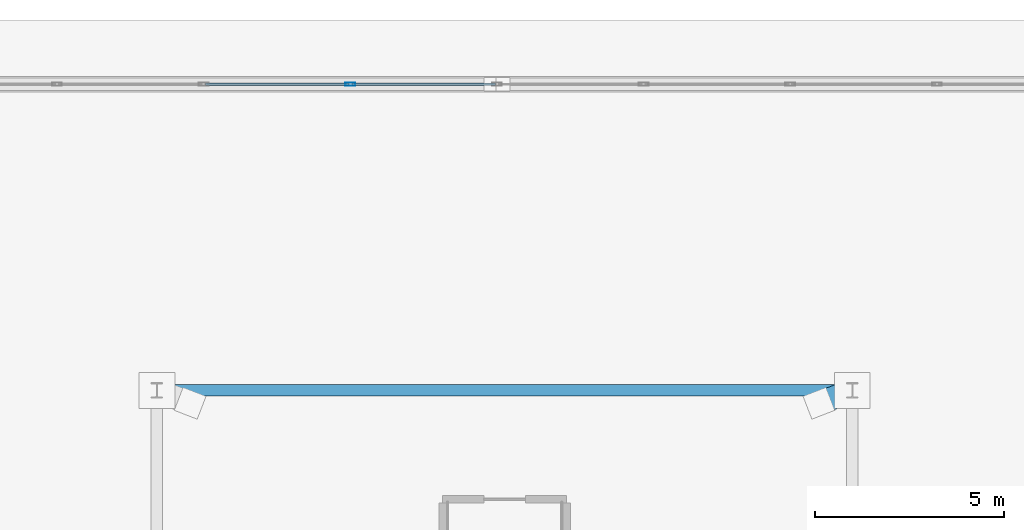
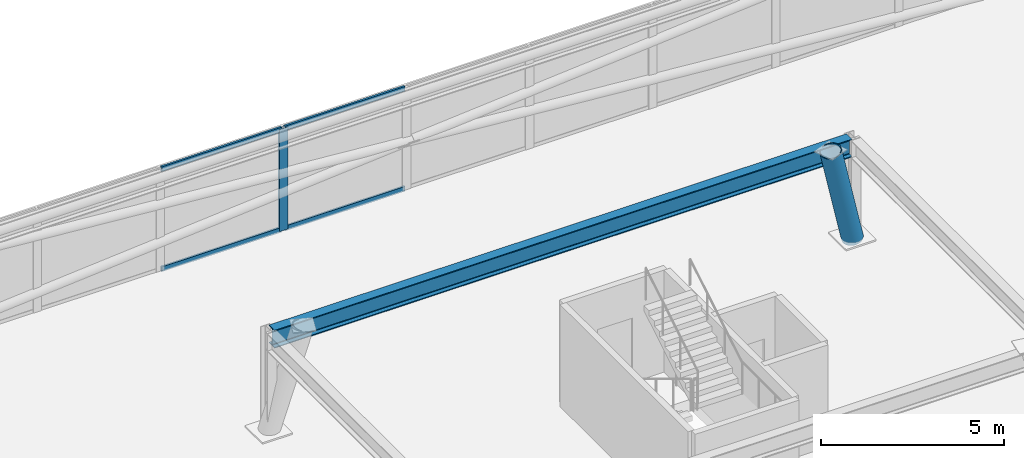
# One storey, part 11 of 23: 6 members, 1 beam, 1 element without a shape of its own.
"""IFC4 building model written with IfcOpenShell, lengths in metres."""

from ifc_helpers import new_model, si_unit, direction, frame, origin, origin_2d, place, context, subcontext, project, spatial, hollow_rectangle, hollow_circle, i_section, extrude, material, layer, layer_set, material_profile, profile_set, type_object, element, aggregate, save


model = new_model("IFC4")

# Units and contexts
model_context = context("Model", 3, precision=1e-05, world=origin(), true_north=direction((0.0, 1.0)))
body_context = subcontext(model_context, "Body", "Model", "MODEL_VIEW")
ifc_project = project(units=[si_unit("LENGTHUNIT", "METRE"), si_unit("AREAUNIT", "SQUARE_METRE"), si_unit("VOLUMEUNIT", "CUBIC_METRE"), si_unit("PLANEANGLEUNIT", "RADIAN"), si_unit("MASSUNIT", "GRAM", prefix="KILO")], contexts=[model_context])

# Site, building, storey
site_placement = place(None, origin())
site = spatial("IfcSite", under=ifc_project, at=site_placement, CompositionType="ELEMENT")
building_placement = place(site_placement, origin())
building = spatial("IfcBuilding", under=site, at=building_placement, Name="Qobustan Lattice House", CompositionType="ELEMENT")
storey_placement = place(building_placement, frame((0.0, 0.0, 270.199951171875)))
storey = spatial("IfcBuildingStorey", under=building, at=storey_placement, Name="L76", CompositionType="ELEMENT", Elevation=270.199951171875)

# Beam
ifc_material_1 = material(Name="Steel S355", Category="steel")
ifc_material_profile_1 = material_profile(ifc_material_1, i_section(OverallWidth=0.300048828125, OverallDepth=0.60009765625, WebThickness=0.015380859375, FlangeThickness=0.030029296875, FilletRadius=0.027099609375, at=origin_2d()), Name="HEB600")
ifc_profile_set_1 = profile_set([ifc_material_profile_1], Name="Steel S355")
beam_type = type_object("IfcBeamType", Name="BM-POD-HEB600", PredefinedType="USERDEFINED", material=ifc_profile_set_1)
beam_placement = place(storey_placement, frame((9.10009765625, 5.60009765625, 3.10009765625), z_axis=(-1.0, 0.0, 0.0), x_axis=(0.0, -1.0, 0.0)))
element("IfcBeam", 1, at=beam_placement, inside=storey, type_object=beam_type, Name="L76 crown support ring girder 3", ObjectType="GIRDER", PredefinedType="USERDEFINED", context=body_context, shape_type="SweptSolid", body=[
    extrude(i_section(OverallWidth=0.300048828125, OverallDepth=0.60009765625, WebThickness=0.015380859375, FlangeThickness=0.030029296875, FilletRadius=0.027099609375, at=origin_2d()), origin(), (0.0, 0.0, 1.0), 18.2001953125),
])

# Curtain wall, members
ifc_material_2 = material(Name="Anodised aluminium and low-E glazing", Category="aluminium")
ifc_layer = layer(ifc_material_2, 0.219970703125)
ifc_layer_set = layer_set([ifc_layer], Name="Anodised aluminium and low-E glazing")
curtain_wall_type = type_object("IfcCurtainWallType", Name="CW-CRN-01", PredefinedType="USERDEFINED", material=ifc_layer_set)
curtain_wall_placement = place(storey_placement, origin())
curtain_wall = element("IfcCurtainWall", 2, at=curtain_wall_placement, inside=storey, type_object=curtain_wall_type, Name="L76 glass-point crown faceted curtain wall 10", ObjectType="CURTAIN WALL", PredefinedType="USERDEFINED")
ifc_material_3 = material(Name="Anodised aluminium EN AW-6063 T6", Category="aluminium")
ifc_material_profile_2 = material_profile(ifc_material_3, hollow_rectangle(XDim=0.090087890625, YDim=0.260009765625, WallThickness=0.006103515625, at=origin_2d()), Name="CWM-CROWN-260x90")
ifc_profile_set_2 = profile_set([ifc_material_profile_2], Name="Anodised aluminium EN AW-6063 T6")
member_type_1 = type_object("IfcMemberType", Name="CWM-CRN-260", PredefinedType="MULLION", material=ifc_profile_set_2)
member_1_placement = place(storey_placement, frame((-4.080078125, 13.699951171875, 0.0), z_axis=(0.0, 0.0, 1.0), x_axis=(0.0, 1.0, 0.0)))
member_1 = element("IfcMember", 3, at=member_1_placement, type_object=member_type_1, Name="CW-CR mullion 5", PredefinedType="MULLION", context=body_context, shape_type="SweptSolid", body=[
    extrude(hollow_rectangle(XDim=0.090087890625, YDim=0.260009765625, WallThickness=0.006103515625, at=origin_2d()), origin(), (0.0, 0.0, 1.0), 3.400146484375),
])
ifc_material_4 = material(Name="Anodised aluminium EN AW-6063 T6", Category="aluminium")
ifc_material_profile_3 = material_profile(ifc_material_4, hollow_rectangle(XDim=0.06494140625, YDim=0.159912109375, WallThickness=0.00390625, at=origin_2d()), Name="CWT-160x65")
ifc_profile_set_3 = profile_set([ifc_material_profile_3], Name="Anodised aluminium EN AW-6063 T6")
member_type_2 = type_object("IfcMemberType", Name="CWT-HOR-160", PredefinedType="USERDEFINED", material=ifc_profile_set_3)
member_2_placement = place(storey_placement, frame((-7.9150390625, 13.699951171875, 0.032470703125), z_axis=(1.0, 0.0, 0.0), x_axis=(0.0, 1.0, 0.0)))
member_2 = element("IfcMember", 4, at=member_2_placement, type_object=member_type_2, Name="CW-CR transom 4.1", ObjectType="TRANSOM", PredefinedType="USERDEFINED", context=body_context, shape_type="SweptSolid", body=[
    extrude(hollow_rectangle(XDim=0.06494140625, YDim=0.159912109375, WallThickness=0.00390625, at=origin_2d()), origin(), (0.0, 0.0, 1.0), 3.7900390625),
])
member_3_placement = place(storey_placement, frame((-7.9150390625, 13.699951171875, 3.367431640625), z_axis=(1.0, 0.0, 0.0), x_axis=(0.0, 1.0, 0.0)))
member_3 = element("IfcMember", 5, at=member_3_placement, type_object=member_type_2, Name="CW-CR transom 4.2", ObjectType="TRANSOM", PredefinedType="USERDEFINED", context=body_context, shape_type="SweptSolid", body=[
    extrude(hollow_rectangle(XDim=0.06494140625, YDim=0.159912109375, WallThickness=0.00390625, at=origin_2d()), origin(), (0.0, 0.0, 1.0), 3.7900390625),
])
member_4_placement = place(storey_placement, frame((-4.034912109375, 13.699951171875, 0.032470703125), z_axis=(1.0, 0.0, 0.0), x_axis=(0.0, 1.0, 0.0)))
member_4 = element("IfcMember", 6, at=member_4_placement, type_object=member_type_2, Name="CW-CR transom 5.1", ObjectType="TRANSOM", PredefinedType="USERDEFINED", context=body_context, shape_type="SweptSolid", body=[
    extrude(hollow_rectangle(XDim=0.06494140625, YDim=0.159912109375, WallThickness=0.00390625, at=origin_2d()), origin(), (0.0, 0.0, 1.0), 3.789794921875),
])
member_5_placement = place(storey_placement, frame((-4.034912109375, 13.699951171875, 3.367431640625), z_axis=(1.0, 0.0, 0.0), x_axis=(0.0, 1.0, 0.0)))
member_5 = element("IfcMember", 7, at=member_5_placement, type_object=member_type_2, Name="CW-CR transom 5.2", ObjectType="TRANSOM", PredefinedType="USERDEFINED", context=body_context, shape_type="SweptSolid", body=[
    extrude(hollow_rectangle(XDim=0.06494140625, YDim=0.159912109375, WallThickness=0.00390625, at=origin_2d()), origin(), (0.0, 0.0, 1.0), 3.789794921875),
])
aggregate(curtain_wall, [member_1, member_2, member_3, member_4, member_5])

# Member
ifc_material_5 = material(Name="Steel S355", Category="steel")
ifc_material_profile_4 = material_profile(ifc_material_5, hollow_circle(Radius=0.304931640625, WallThickness=0.02490234375, at=origin_2d()), Name="CHS610x25")
ifc_profile_set_4 = profile_set([ifc_material_profile_4], Name="Steel S355")
member_type_3 = type_object("IfcMemberType", Name="MEM-SPR-CHS610", PredefinedType="USERDEFINED", material=ifc_profile_set_4)
member_6_placement = place(storey_placement, frame((9.199951171875, 5.60009765625, 0.0), z_axis=(-0.249748431437, -0.096371070635, 0.963503159175), x_axis=(0.360000616832, -0.932952065157, 0.0)))
element("IfcMember", 8, at=member_6_placement, inside=storey, type_object=member_type_3, Name="L76 crown spire leg SL3", ObjectType="CROWN FRAME", PredefinedType="USERDEFINED", context=body_context, shape_type="SweptSolid", body=[
    extrude(hollow_circle(Radius=0.304931640625, WallThickness=0.02490234375, at=origin_2d()), origin(), (0.0, 0.0, 1.0), 3.529052734375),
])

save(model, "model.ifc")
